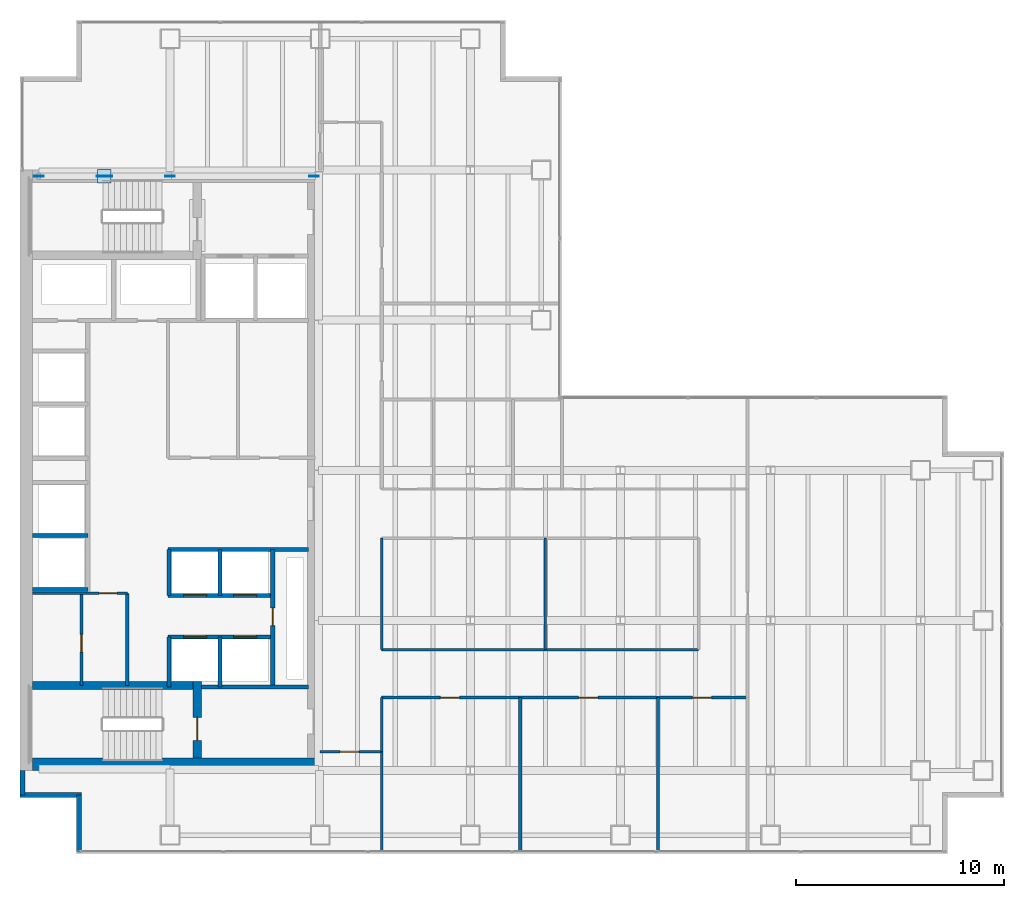
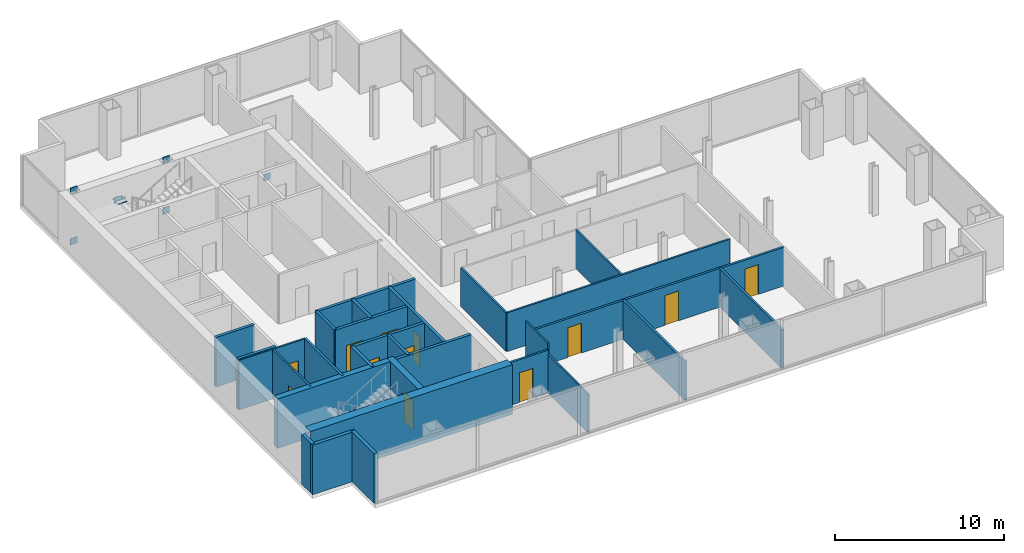
# One storey, part 20 of 23: 29 walls, 12 doors, 8 plates, 12 openings.
"""IFC4 building model written with IfcOpenShell, lengths in metres."""

import ifcopenshell
import ifcopenshell.guid

model = None  # the IFC model being written
_history = None  # IfcOwnerHistory: only IFC2X3 demands one
_inside = {}  # id of a spatial element -> (the spatial element, [elements in it])
_under = {}  # id of a project, library or spatial element -> (it, [spatial elements below it])
_declared = {}  # id of a project -> (the project, [libraries it declares])
_typed = {}  # id of a type object -> (the type object, [elements of that type])
_made_of = {}  # id of a material, layer set ... -> (it, [elements and type objects made of it])


def new_model(schema):
    """Start an empty IFC model of exactly this schema.

    Asked for "IFC4X3", IfcOpenShell would pick the latest addendum, in which some entities
    have other attributes; the version numbers below select the first issue.
    IFC2X3 requires an IfcOwnerHistory on every rooted entity: one is made here for all.
    """
    global model, _history
    if schema == "IFC4X3":
        model = ifcopenshell.file(schema_version=(4, 3, 0, 0))
    else:
        model = ifcopenshell.file(schema=schema)
    _inside.clear()
    _under.clear()
    _declared.clear()
    _typed.clear()
    _made_of.clear()
    _history = None
    if model.schema == "IFC2X3":
        org = make("IfcOrganization", Name="unknown")
        user = make(
            "IfcPersonAndOrganization",
            ThePerson=make("IfcPerson", FamilyName="unknown"),
            TheOrganization=org,
        )
        app = make(
            "IfcApplication",
            ApplicationDeveloper=org,
            Version="unknown",
            ApplicationFullName="unknown",
            ApplicationIdentifier="unknown",
        )
        _history = make(
            "IfcOwnerHistory",
            OwningUser=user,
            OwningApplication=app,
            ChangeAction="ADDED",
            CreationDate=0,
        )
    return model


def make(cls, **values):
    """One entity of the class cls with the attributes given. An attribute that is None is left unset."""
    return model.create_entity(
        cls, **{name: value for name, value in values.items() if value is not None}
    )


def rooted(cls, **values):
    """An entity with a GlobalId (a new one), such as an element, a storey or a relation."""
    return make(cls, GlobalId=ifcopenshell.guid.new(), OwnerHistory=_history, **values)


def si_unit(unit_type, name, prefix=None):
    """IfcSIUnit, for example si_unit("LENGTHUNIT", "METRE", prefix="MILLI")."""
    return make("IfcSIUnit", UnitType=unit_type, Prefix=prefix, Name=name)


def assignment(units):
    """IfcUnitAssignment: the units of a project."""
    return None if units is None else make("IfcUnitAssignment", Units=units)


def point(xyz):
    """IfcCartesianPoint."""
    return None if xyz is None else make("IfcCartesianPoint", Coordinates=xyz)


def direction(xyz):
    """IfcDirection."""
    return None if xyz is None else make("IfcDirection", DirectionRatios=xyz)


def frame(location, z_axis=None, x_axis=None):
    """IfcAxis2Placement3D, a coordinate frame: its origin and axes. An axis left out is left unset."""
    return make(
        "IfcAxis2Placement3D",
        Location=point(location),
        Axis=direction(z_axis),
        RefDirection=direction(x_axis),
    )


def frame_2d(location, x_axis=None):
    """IfcAxis2Placement2D, a coordinate frame in the plane: its origin and x axis."""
    return make(
        "IfcAxis2Placement2D", Location=point(location), RefDirection=direction(x_axis)
    )


def origin():
    """The frame at (0, 0, 0) with its axes left unset."""
    return frame((0.0, 0.0, 0.0))


def origin_2d():
    """The frame at (0, 0) in the plane with its x axis left unset."""
    return frame_2d((0.0, 0.0))


def place(relative_to, where):
    """IfcLocalPlacement: puts the frame where relative to a parent placement (None: the world)."""
    return make(
        "IfcLocalPlacement", PlacementRelTo=relative_to, RelativePlacement=where
    )


def context(
    kind, dimensions, precision=None, world=None, true_north=None, identifier=None
):
    """IfcGeometricRepresentationContext, for example the 3D "Model" context."""
    return make(
        "IfcGeometricRepresentationContext",
        ContextIdentifier=identifier,
        ContextType=kind,
        CoordinateSpaceDimension=dimensions,
        Precision=precision,
        WorldCoordinateSystem=world,
        TrueNorth=true_north,
    )


def subcontext(parent, identifier, kind, view, scale=None):
    """IfcGeometricRepresentationSubContext, for example "Body" below "Model"."""
    return make(
        "IfcGeometricRepresentationSubContext",
        ContextIdentifier=identifier,
        ContextType=kind,
        ParentContext=parent,
        TargetScale=scale,
        TargetView=view,
    )


def project(units=None, contexts=None):
    """IfcProject with its units and contexts."""
    return rooted(
        "IfcProject",
        Name="project",
        RepresentationContexts=contexts,
        UnitsInContext=assignment(units),
    )


def spatial(cls, under=None, at=None, **own):
    """A site, building, storey or space (cls), placed at a placement, below another one or the project."""
    s = rooted(cls, ObjectPlacement=at, **own)
    if under is not None:
        _under.setdefault(under.id(), (under, []))[1].append(s)
    return s


def profile(cls, at=None, kind="AREA", **sizes):
    """A parametric profile (cls). Its sizes go by their IFC names, for example OverallWidth=200.0."""
    return make(cls, ProfileType=kind, Position=at, **sizes)


def rectangle(**sizes):
    """IfcRectangleProfileDef."""
    return profile("IfcRectangleProfileDef", **sizes)


def extrude(swept, where, along, depth):
    """IfcExtrudedAreaSolid: the profile swept, set in the frame where, extruded along a direction by depth."""
    return make(
        "IfcExtrudedAreaSolid",
        SweptArea=swept,
        Position=where,
        ExtrudedDirection=direction(along),
        Depth=depth,
    )


def shape(context_of_items, identifier, shape_type, items):
    """IfcShapeRepresentation: the items that make up one representation, for example the "Body"."""
    return make(
        "IfcShapeRepresentation",
        ContextOfItems=context_of_items,
        RepresentationIdentifier=identifier,
        RepresentationType=shape_type,
        Items=items,
    )


def material(Name=None, Category=None):
    """IfcMaterial."""
    return make("IfcMaterial", Name=Name, Category=Category)


def layer(
    of_material, thickness, ventilated=None, Name=None, Category=None, Priority=None
):
    """IfcMaterialLayer: one layer of a wall or slab, of a material (None: an air gap)."""
    return make(
        "IfcMaterialLayer",
        Material=of_material,
        LayerThickness=thickness,
        IsVentilated=ventilated,
        Name=Name,
        Category=Category,
        Priority=Priority,
    )


def layer_set(layers, Name=None):
    """IfcMaterialLayerSet."""
    return make("IfcMaterialLayerSet", MaterialLayers=layers, LayerSetName=Name)


def made_of(thing, what):
    """Note that an element or type object is made of a material, layer set ...; save() writes the relation."""
    if what is not None:
        _made_of.setdefault(what.id(), (what, []))[1].append(thing)
    return thing


def type_object(cls, material=None, **own):
    """A type object (cls), such as IfcWallType, which elements share."""
    return made_of(rooted(cls, **own), material)


def element(
    cls,
    number,
    at=None,
    inside=None,
    cuts=None,
    type_object=None,
    material=None,
    context=None,
    identifier="Body",
    shape_type=None,
    held_by="IfcProductDefinitionShape",
    body=None,
    shapes=None,
    **own,
):
    """One element of the class cls, such as IfcWall. Its Tag is "e" and its number.

    at: its placement. inside: the storey or other place that contains it. cuts: it is an
    opening in that element (IfcRelVoidsElement). A single representation is given by context,
    identifier, shape_type and body (its items); several are given by shapes. held_by: the class
    of the entity that holds the representations. save() writes the other relations.
    """
    e = rooted(cls, Tag="e%d" % number, ObjectPlacement=at, **own)
    if body is not None:
        shapes = [shape(context, identifier, shape_type, body)]
    if shapes is not None:
        e.Representation = make(held_by, Representations=shapes)
    if inside is not None:
        _inside.setdefault(inside.id(), (inside, []))[1].append(e)
    if cuts is not None:
        rooted(
            "IfcRelVoidsElement", RelatingBuildingElement=cuts, RelatedOpeningElement=e
        )
    if type_object is not None:
        _typed.setdefault(type_object.id(), (type_object, []))[1].append(e)
    return made_of(e, material)


def fill(opening, filler):
    """IfcRelFillsElement: the door or window that sits in an opening."""
    return rooted(
        "IfcRelFillsElement",
        RelatingOpeningElement=opening,
        RelatedBuildingElement=filler,
    )


def aggregate(whole, parts):
    """IfcRelAggregates: a whole, such as a stair, and the parts it consists of."""
    return rooted("IfcRelAggregates", RelatingObject=whole, RelatedObjects=parts)


def save(model, path):
    """Write the relations noted so far, then the file.

    IfcRelAggregates (storeys below a building ...), IfcRelContainedInSpatialStructure (elements
    in a storey), IfcRelDefinesByType, IfcRelAssociatesMaterial and IfcRelDeclares: one each for
    every whole, place, type object, material and project.
    """
    for whole, parts in _under.values():
        aggregate(whole, parts)
    for where, things in _inside.values():
        rooted(
            "IfcRelContainedInSpatialStructure",
            RelatedElements=things,
            RelatingStructure=where,
        )
    for kind, things in _typed.values():
        rooted("IfcRelDefinesByType", RelatedObjects=things, RelatingType=kind)
    for what, things in _made_of.values():
        rooted("IfcRelAssociatesMaterial", RelatedObjects=things, RelatingMaterial=what)
    for by, libraries in _declared.values():
        rooted("IfcRelDeclares", RelatingContext=by, RelatedDefinitions=libraries)
    model.write(path)


model = new_model("IFC4")

# Units and contexts
model_context = context("Model", 3, precision=1e-05, world=origin(), true_north=direction((0.0, 1.0)))
body_context = subcontext(model_context, "Body", "Model", "MODEL_VIEW")
ifc_project = project(units=[si_unit("LENGTHUNIT", "METRE"), si_unit("AREAUNIT", "SQUARE_METRE"), si_unit("VOLUMEUNIT", "CUBIC_METRE"), si_unit("PLANEANGLEUNIT", "RADIAN"), si_unit("MASSUNIT", "GRAM", prefix="KILO")], contexts=[model_context])

# Site, building, storey
site_placement = place(None, origin())
site = spatial("IfcSite", under=ifc_project, at=site_placement, CompositionType="ELEMENT")
building_placement = place(site_placement, origin())
building = spatial("IfcBuilding", under=site, at=building_placement, Name="Cobrela Telecom Tower", CompositionType="ELEMENT")
storey_placement = place(building_placement, frame((0.0, 0.0, 109.89990234375)))
storey = spatial("IfcBuildingStorey", under=building, at=storey_placement, Name="L27", CompositionType="ELEMENT", Elevation=109.89990234375)

# Plates
ifc_material_1 = material(Name="Steel ASTM A572 Grade 50", Category="steel")
ifc_layer_1 = layer(ifc_material_1, 0.0419921875)
ifc_layer_set_1 = layer_set([ifc_layer_1], Name="Steel ASTM A572 Grade 50")
plate_type = type_object("IfcPlateType", Name="PLT-NODE-ND1", PredefinedType="USERDEFINED", material=ifc_layer_set_1)
for number, where, z_axis, x_axis, name in (
    (1, (0.89990234375, 35.699951171875, -0.269775390625), (0.0, 0.0, 1.0), (1.0, 0.0, 0.0), "Steel node plate PLT-MBR-EXO-L27-N1-A-0"),
    (2, (7.199951171875, 35.699951171875, 3.39013671875), (0.0, 0.0, 1.0), (1.0, 0.0, 0.0), "Steel node plate PLT-MBR-EXO-L27-N1-A-1"),
    (3, (7.199951171875, 35.699951171875, -0.269775390625), (0.0, 0.0, 1.0), (-1.0, 0.0, 0.0), "Steel node plate PLT-MBR-EXO-L27-N1-B1-0"),
    (4, (4.1953125, 35.699951171875, 1.475830078125), (0.0, 0.0, 1.0), (-1.0, 0.0, 0.0), "Steel node plate PLT-MBR-EXO-L27-N1-B1-1"),
    (5, (3.90478515625, 35.699951171875, 1.64453125), (0.0, 0.0, 1.0), (-1.0, 0.0, 0.0), "Steel node plate PLT-MBR-EXO-L27-N1-B2-0"),
    (6, (0.89990234375, 35.699951171875, 3.39013671875), (0.0, 0.0, 1.0), (-1.0, 0.0, 0.0), "Steel node plate PLT-MBR-EXO-L27-N1-B2-1"),
):
    element("IfcPlate", number, at=place(storey_placement, frame(where, z_axis=z_axis, x_axis=x_axis)), inside=storey, type_object=plate_type, Name=name, ObjectType="GUSSET PLATE", PredefinedType="USERDEFINED", context=body_context, shape_type="SweptSolid", body=[
        extrude(rectangle(XDim=0.4599609375, YDim=0.044921875, at=origin_2d()), origin(), (0.0, 0.0, 1.0), 0.4599609375),
    ])
plate_1_placement = place(storey_placement, frame((4.050048828125, 35.699951171875, 1.767578125), z_axis=(0.0, 0.0, 1.0), x_axis=(1.0, 0.0, 0.0)))
element("IfcPlate", 7, at=plate_1_placement, inside=storey, type_object=plate_type, Name="L27 Core Flange Steel X-Brace Central X-Crossing Gusset Plate", ObjectType="GUSSET PLATE", PredefinedType="USERDEFINED", context=body_context, shape_type="SweptSolid", body=[
    extrude(rectangle(XDim=0.64990234375, YDim=0.64990234375, at=origin_2d()), origin(), (0.0, 0.0, 1.0), 0.044921875),
])
plate_2_placement = place(storey_placement, frame((14.10009765625, 35.699951171875, -0.269775390625), z_axis=(0.0, 0.0, 1.0), x_axis=(-1.0, 0.0, 0.0)))
element("IfcPlate", 8, at=plate_2_placement, inside=storey, type_object=plate_type, Name="Steel node plate PLT-MBR-EXO-L27-N2-0", ObjectType="GUSSET PLATE", PredefinedType="USERDEFINED", context=body_context, shape_type="SweptSolid", body=[
    extrude(rectangle(XDim=0.4599609375, YDim=0.044921875, at=origin_2d()), origin(), (0.0, 0.0, 1.0), 0.4599609375),
])

# Walls
ifc_material_2 = material(Name="Concrete C50/60", Category="concrete")
ifc_layer_2 = layer(ifc_material_2, 0.60009765625)
ifc_layer_set_2 = layer_set([ifc_layer_2], Name="Concrete C50/60")
wall_type_1 = type_object("IfcWallType", Name="WALL-CORE-C50-600", PredefinedType="SHEAR", material=ifc_layer_set_2)
wall_1_placement = place(storey_placement, frame((0.60009765625, 7.5, 0.0), z_axis=(0.0, 0.0, 1.0), x_axis=(1.0, 0.0, 0.0)))
element("IfcWall", 9, at=wall_1_placement, inside=storey, type_object=wall_type_1, Name="L27 South Core Shear Wall", PredefinedType="SHEAR", context=body_context, shape_type="SweptSolid", body=[
    extrude(rectangle(XDim=13.7998046875, YDim=0.60009765625, at=frame_2d((6.89990234375, 0.0))), origin(), (0.0, 0.0, 1.0), 3.580078125),
])
ifc_material_3 = material(Name="Concrete C40/50", Category="concrete")
ifc_layer_3 = layer(ifc_material_3, 0.239990234375)
ifc_layer_set_3 = layer_set([ifc_layer_3], Name="Concrete C40/50")
wall_type_2 = type_object("IfcWallType", Name="WALL-EXT-300", PredefinedType="STANDARD", material=ifc_layer_set_3)
wall_2_placement = place(storey_placement, frame((2.830078125, 3.320068359375, 0.0), z_axis=(0.0, 0.0, 1.0), x_axis=(0.0, 1.0, 0.0)))
element("IfcWall", 10, at=wall_2_placement, inside=storey, type_object=wall_type_2, Name="L27 Insulated Facade Wall 01", PredefinedType="STANDARD", context=body_context, shape_type="SweptSolid", body=[
    extrude(rectangle(XDim=2.7099609375, YDim=0.239990234375, at=frame_2d((1.35498046875, 0.0))), origin(), (0.0, 0.0, 1.0), 3.580078125),
])
wall_3_placement = place(storey_placement, frame((2.949951171875, 6.030029296875, 0.0), z_axis=(0.0, 0.0, 1.0), x_axis=(-1.0, 0.0, 0.0)))
element("IfcWall", 11, at=wall_3_placement, inside=storey, type_object=wall_type_2, Name="L27 Insulated Facade Wall 02", PredefinedType="STANDARD", context=body_context, shape_type="SweptSolid", body=[
    extrude(rectangle(XDim=2.949951171875, YDim=0.239990234375, at=frame_2d((1.47509765625, 0.0))), origin(), (0.0, 0.0, 1.0), 3.580078125),
])
wall_4_placement = place(storey_placement, frame((0.1201171875, 6.030029296875, 0.0), z_axis=(0.0, 0.0, 1.0), x_axis=(0.0, 1.0, 0.0)))
element("IfcWall", 12, at=wall_4_placement, inside=storey, type_object=wall_type_2, Name="L27 Insulated Facade Wall 03", PredefinedType="STANDARD", context=body_context, shape_type="SweptSolid", body=[
    extrude(rectangle(XDim=1.169921875, YDim=0.239990234375, at=frame_2d((0.5849609375, 0.0))), origin(), (0.0, 0.0, 1.0), 3.580078125),
])

# Wall, opening, door
ifc_material_4 = material(Name="Fire-Rated Gypsum Plasterboard")
ifc_layer_4 = layer(ifc_material_4, 0.110107421875)
ifc_layer_set_4 = layer_set([ifc_layer_4], Name="Fire-Rated Gypsum Plasterboard")
wall_type_3 = type_object("IfcWallType", Name="WALL-PART-110", PredefinedType="PARTITIONING", material=ifc_layer_set_4)
wall_5_placement = place(storey_placement, frame((0.60009765625, 15.699951171875, 0.0), z_axis=(0.0, 0.0, 1.0), x_axis=(1.0, 0.0, 0.0)))
wall_5 = element("IfcWall", 13, at=wall_5_placement, inside=storey, type_object=wall_type_3, Name="L27 Interior Partition CW-FLEX-N", PredefinedType="PARTITIONING", context=body_context, shape_type="SweptSolid", body=[
    extrude(rectangle(XDim=4.5498046875, YDim=0.110107421875, at=frame_2d((2.27490234375, 0.0))), origin(), (0.0, 0.0, 1.0), 3.580078125),
])
opening_1_placement = place(wall_5_placement, frame((3.199951171875, 0.0, 0.0)))
opening_1 = element("IfcOpeningElement", 14, at=opening_1_placement, cuts=wall_5, Name="Opening DR-11", PredefinedType="OPENING", context=body_context, shape_type="SweptSolid", body=[
    extrude(rectangle(XDim=0.85009765625, YDim=2.14990234375, at=frame_2d((0.425048828125, 1.074951171875))), frame((0.0, 0.06689453125, 0.0), z_axis=(0.0, -1.0, 0.0), x_axis=(1.0, 0.0, 0.0)), (0.0, 0.0, 1.0), 0.134033203125),
])
ifc_material_5 = material(Name="Solid Engineered Oak Timber", Category="wood")
door_type_1 = type_object("IfcDoorType", Name="DOOR-INT-850", OperationType="SINGLE_SWING_LEFT", PredefinedType="DOOR", material=ifc_material_5)
door_1_placement = place(opening_1_placement, origin())
door_1 = element("IfcDoor", 15, at=door_1_placement, inside=storey, type_object=door_type_1, Name="L27 Door DR-11", OperationType="SINGLE_SWING_LEFT", OverallHeight=2.14990234375, OverallWidth=0.85009765625, PredefinedType="DOOR", context=body_context, shape_type="SweptSolid", body=[
    extrude(rectangle(XDim=0.85009765625, YDim=2.14990234375, at=frame_2d((0.425048828125, 1.074951171875))), frame((0.0, 0.02490234375, 0.0), z_axis=(0.0, -1.0, 0.0), x_axis=(1.0, 0.0, 0.0)), (0.0, 0.0, 1.0), 0.050048828125),
])
fill(opening_1, door_1)

# Walls
wall_6_placement = place(storey_placement, frame((17.35009765625, 8.10009765625, 0.0), z_axis=(0.0, 0.0, 1.0), x_axis=(0.0, 1.0, 0.0)))
element("IfcWall", 16, at=wall_6_placement, inside=storey, type_object=wall_type_3, Name="L27 Interior Partition W-UW-E1", PredefinedType="PARTITIONING", context=body_context, shape_type="SweptSolid", body=[
    extrude(rectangle(XDim=2.599853515625, YDim=0.110107421875, at=frame_2d((1.2998046875, 0.0))), origin(), (0.0, 0.0, 1.0), 3.580078125),
])
wall_7_placement = place(storey_placement, frame((17.35009765625, 3.320068359375, 0.0), z_axis=(0.0, 0.0, 1.0), x_axis=(0.0, 1.0, 0.0)))
element("IfcWall", 17, at=wall_7_placement, inside=storey, type_object=wall_type_3, Name="L27 Interior Partition W-USW-E", PredefinedType="PARTITIONING", context=body_context, shape_type="SweptSolid", body=[
    extrude(rectangle(XDim=4.780029296875, YDim=0.110107421875, at=frame_2d((2.39013671875, 0.0))), origin(), (0.0, 0.0, 1.0), 2.793212890625),
])

# Wall, opening, door
ifc_layer_5 = layer(ifc_material_4, 0.125)
ifc_layer_set_5 = layer_set([ifc_layer_5], Name="Fire-Rated Gypsum Plasterboard")
wall_type_4 = type_object("IfcWallType", Name="WALL-PART-125", PredefinedType="PARTITIONING", material=ifc_layer_set_5)
wall_8_placement = place(storey_placement, frame((2.949951171875, 11.280029296875, 0.0), z_axis=(0.0, 0.0, 1.0), x_axis=(0.0, 1.0, 0.0)))
wall_8 = element("IfcWall", 18, at=wall_8_placement, inside=storey, type_object=wall_type_4, Name="L27 Interior Partition CW-FK1-V", PredefinedType="PARTITIONING", context=body_context, shape_type="SweptSolid", body=[
    extrude(rectangle(XDim=4.419921875, YDim=0.125, at=frame_2d((2.2099609375, 0.0))), origin(), (0.0, 0.0, 1.0), 3.580078125),
])
opening_2_placement = place(wall_8_placement, frame((1.60009765625, 0.0, 0.0)))
opening_2 = element("IfcOpeningElement", 19, at=opening_2_placement, cuts=wall_8, Name="Opening DR-11", PredefinedType="OPENING", context=body_context, shape_type="SweptSolid", body=[
    extrude(rectangle(XDim=0.85009765625, YDim=2.14990234375, at=frame_2d((0.425048828125, 1.074951171875))), frame((0.0, 0.074462890625, 0.0), z_axis=(0.0, -1.0, 0.0), x_axis=(1.0, 0.0, 0.0)), (0.0, 0.0, 1.0), 0.14892578125),
])
door_2_placement = place(opening_2_placement, origin())
door_2 = element("IfcDoor", 20, at=door_2_placement, inside=storey, type_object=door_type_1, Name="L27 Door DR-11", OperationType="SINGLE_SWING_RIGHT", OverallHeight=2.14990234375, OverallWidth=0.85009765625, PredefinedType="DOOR", context=body_context, shape_type="SweptSolid", body=[
    extrude(rectangle(XDim=0.85009765625, YDim=2.14990234375, at=frame_2d((0.425048828125, 1.074951171875))), frame((0.0, 0.02490234375, 0.0), z_axis=(0.0, -1.0, 0.0), x_axis=(1.0, 0.0, 0.0)), (0.0, 0.0, 1.0), 0.050048828125),
])
fill(opening_2, door_2)

# Walls
wall_9_placement = place(storey_placement, frame((17.35009765625, 13.0, 0.0), z_axis=(0.0, 0.0, 1.0), x_axis=(0.0, 1.0, 0.0)))
element("IfcWall", 21, at=wall_9_placement, inside=storey, type_object=wall_type_4, Name="L27 Interior Partition W-ISL-W", PredefinedType="PARTITIONING", context=body_context, shape_type="SweptSolid", body=[
    extrude(rectangle(XDim=5.35009765625, YDim=0.125, at=frame_2d((2.675048828125, 0.0))), origin(), (0.0, 0.0, 1.0), 2.793212890625),
])
wall_10_placement = place(storey_placement, frame((17.35009765625, 13.0, 0.0), z_axis=(0.0, 0.0, 1.0), x_axis=(1.0, 0.0, 0.0)))
element("IfcWall", 22, at=wall_10_placement, inside=storey, type_object=wall_type_4, Name="L27 Interior Partition W-ISL-S", PredefinedType="PARTITIONING", context=body_context, shape_type="SweptSolid", body=[
    extrude(rectangle(XDim=15.199951171875, YDim=0.125, at=frame_2d((7.60009765625, 0.0))), origin(), (0.0, 0.0, 1.0), 2.793212890625),
])
wall_11_placement = place(storey_placement, frame((25.199951171875, 13.0, 0.0), z_axis=(0.0, 0.0, 1.0), x_axis=(0.0, 1.0, 0.0)))
element("IfcWall", 23, at=wall_11_placement, inside=storey, type_object=wall_type_4, Name="L27 Interior Partition W-ISLV-1", PredefinedType="PARTITIONING", context=body_context, shape_type="SweptSolid", body=[
    extrude(rectangle(XDim=5.35009765625, YDim=0.125, at=frame_2d((2.675048828125, 0.0))), origin(), (0.0, 0.0, 1.0), 2.793212890625),
])

# Wall, opening, door
ifc_layer_6 = layer(ifc_material_4, 0.135009765625)
ifc_layer_set_6 = layer_set([ifc_layer_6], Name="Fire-Rated Gypsum Plasterboard")
wall_type_5 = type_object("IfcWallType", Name="WALL-PART-135", PredefinedType="PARTITIONING", material=ifc_layer_set_6)
wall_12_placement = place(storey_placement, frame((14.39990234375, 8.10009765625, 0.0), z_axis=(0.0, 0.0, 1.0), x_axis=(1.0, 0.0, 0.0)))
wall_12 = element("IfcWall", 24, at=wall_12_placement, inside=storey, type_object=wall_type_5, Name="L27 Interior Partition W-UW-S0", PredefinedType="PARTITIONING", context=body_context, shape_type="SweptSolid", body=[
    extrude(rectangle(XDim=2.9501953125, YDim=0.135009765625, at=frame_2d((1.47509765625, 0.0))), origin(), (0.0, 0.0, 1.0), 3.09814453125),
])
opening_3_placement = place(wall_12_placement, frame((0.949951171875, 0.0, 0.0)))
opening_3 = element("IfcOpeningElement", 25, at=opening_3_placement, cuts=wall_12, Name="Opening DR-45", PredefinedType="OPENING", context=body_context, shape_type="SweptSolid", body=[
    extrude(rectangle(XDim=0.919921875, YDim=2.14990234375, at=frame_2d((0.4599609375, 1.074951171875))), frame((0.0, 0.07958984375, 0.0), z_axis=(0.0, -1.0, 0.0), x_axis=(1.0, 0.0, 0.0)), (0.0, 0.0, 1.0), 0.158935546875),
])
door_type_2 = type_object("IfcDoorType", Name="DOOR-INT-920", OperationType="SINGLE_SWING_LEFT", PredefinedType="DOOR", material=ifc_material_5)
door_3_placement = place(opening_3_placement, origin())
door_3 = element("IfcDoor", 26, at=door_3_placement, inside=storey, type_object=door_type_2, Name="L27 Door DR-45", OperationType="SINGLE_SWING_RIGHT", OverallHeight=2.14990234375, OverallWidth=0.919921875, PredefinedType="DOOR", context=body_context, shape_type="SweptSolid", body=[
    extrude(rectangle(XDim=0.919921875, YDim=2.14990234375, at=frame_2d((0.4599609375, 1.074951171875))), frame((0.0, 0.02490234375, 0.0), z_axis=(0.0, -1.0, 0.0), x_axis=(1.0, 0.0, 0.0)), (0.0, 0.0, 1.0), 0.050048828125),
])
fill(opening_3, door_3)

# Wall, openings, doors
ifc_layer_7 = layer(ifc_material_4, 0.14990234375)
ifc_layer_set_7 = layer_set([ifc_layer_7], Name="Fire-Rated Gypsum Plasterboard")
wall_type_6 = type_object("IfcWallType", Name="WALL-PART-150", PredefinedType="PARTITIONING", material=ifc_layer_set_7)
wall_13_placement = place(storey_placement, frame((17.35009765625, 10.699951171875, 0.0), z_axis=(0.0, 0.0, 1.0), x_axis=(1.0, 0.0, 0.0)))
wall_13 = element("IfcWall", 27, at=wall_13_placement, inside=storey, type_object=wall_type_6, Name="L27 Interior Partition W-US-S", PredefinedType="PARTITIONING", context=body_context, shape_type="SweptSolid", body=[
    extrude(rectangle(XDim=17.5498046875, YDim=0.14990234375, at=frame_2d((8.77490234375, 0.0))), origin(), (0.0, 0.0, 1.0), 2.793212890625),
])
opening_4_placement = place(wall_13_placement, frame((2.820068359375, 0.0, 0.0)))
opening_4 = element("IfcOpeningElement", 28, at=opening_4_placement, cuts=wall_13, Name="Opening DR-45", PredefinedType="OPENING", context=body_context, shape_type="SweptSolid", body=[
    extrude(rectangle(XDim=0.919921875, YDim=2.14990234375, at=frame_2d((0.4599609375, 1.074951171875))), frame((0.0, 0.0869140625, 0.0), z_axis=(0.0, -1.0, 0.0), x_axis=(1.0, 0.0, 0.0)), (0.0, 0.0, 1.0), 0.173828125),
])
opening_5_placement = place(wall_13_placement, frame((9.449951171875, 0.0, 0.0)))
opening_5 = element("IfcOpeningElement", 29, at=opening_5_placement, cuts=wall_13, Name="Opening DR-45", PredefinedType="OPENING", context=body_context, shape_type="SweptSolid", body=[
    extrude(rectangle(XDim=0.919921875, YDim=2.14990234375, at=frame_2d((0.4599609375, 1.074951171875))), frame((0.0, 0.0869140625, 0.0), z_axis=(0.0, -1.0, 0.0), x_axis=(1.0, 0.0, 0.0)), (0.0, 0.0, 1.0), 0.173828125),
])
opening_6_placement = place(wall_13_placement, frame((14.89990234375, 0.0, 0.0)))
opening_6 = element("IfcOpeningElement", 30, at=opening_6_placement, cuts=wall_13, Name="Opening DR-45", PredefinedType="OPENING", context=body_context, shape_type="SweptSolid", body=[
    extrude(rectangle(XDim=0.919921875, YDim=2.14990234375, at=frame_2d((0.4599609375, 1.074951171875))), frame((0.0, 0.0869140625, 0.0), z_axis=(0.0, -1.0, 0.0), x_axis=(1.0, 0.0, 0.0)), (0.0, 0.0, 1.0), 0.173828125),
])
door_4_placement = place(opening_4_placement, origin())
door_4 = element("IfcDoor", 31, at=door_4_placement, inside=storey, type_object=door_type_2, Name="L27 Door DR-45", OperationType="SINGLE_SWING_LEFT", OverallHeight=2.14990234375, OverallWidth=0.919921875, PredefinedType="DOOR", context=body_context, shape_type="SweptSolid", body=[
    extrude(rectangle(XDim=0.919921875, YDim=2.14990234375, at=frame_2d((0.4599609375, 1.074951171875))), frame((0.0, 0.02490234375, 0.0), z_axis=(0.0, -1.0, 0.0), x_axis=(1.0, 0.0, 0.0)), (0.0, 0.0, 1.0), 0.050048828125),
])
fill(opening_4, door_4)
door_5_placement = place(opening_5_placement, origin())
door_5 = element("IfcDoor", 32, at=door_5_placement, inside=storey, type_object=door_type_2, Name="L27 Door DR-45", OperationType="SINGLE_SWING_RIGHT", OverallHeight=2.14990234375, OverallWidth=0.919921875, PredefinedType="DOOR", context=body_context, shape_type="SweptSolid", body=[
    extrude(rectangle(XDim=0.919921875, YDim=2.14990234375, at=frame_2d((0.4599609375, 1.074951171875))), frame((0.0, 0.02490234375, 0.0), z_axis=(0.0, -1.0, 0.0), x_axis=(1.0, 0.0, 0.0)), (0.0, 0.0, 1.0), 0.050048828125),
])
fill(opening_5, door_5)
door_6_placement = place(opening_6_placement, origin())
door_6 = element("IfcDoor", 33, at=door_6_placement, inside=storey, type_object=door_type_2, Name="L27 Door DR-45", OperationType="SINGLE_SWING_LEFT", OverallHeight=2.14990234375, OverallWidth=0.919921875, PredefinedType="DOOR", context=body_context, shape_type="SweptSolid", body=[
    extrude(rectangle(XDim=0.919921875, YDim=2.14990234375, at=frame_2d((0.4599609375, 1.074951171875))), frame((0.0, 0.02490234375, 0.0), z_axis=(0.0, -1.0, 0.0), x_axis=(1.0, 0.0, 0.0)), (0.0, 0.0, 1.0), 0.050048828125),
])
fill(opening_6, door_6)

# Walls
wall_14_placement = place(storey_placement, frame((30.60009765625, 3.320068359375, 0.0), z_axis=(0.0, 0.0, 1.0), x_axis=(0.0, 1.0, 0.0)))
element("IfcWall", 34, at=wall_14_placement, inside=storey, type_object=wall_type_6, Name="L27 Interior Partition W-USV-2", PredefinedType="PARTITIONING", context=body_context, shape_type="SweptSolid", body=[
    extrude(rectangle(XDim=7.3798828125, YDim=0.14990234375, at=frame_2d((3.68994140625, 0.0))), origin(), (0.0, 0.0, 1.0), 2.793212890625),
])
ifc_layer_8 = layer(ifc_material_4, 0.159912109375)
ifc_layer_set_8 = layer_set([ifc_layer_8], Name="Fire-Rated Gypsum Plasterboard")
wall_type_7 = type_object("IfcWallType", Name="WALL-PART-160", PredefinedType="PARTITIONING", material=ifc_layer_set_8)
wall_15_placement = place(storey_placement, frame((5.14990234375, 11.280029296875, 0.0), z_axis=(0.0, 0.0, 1.0), x_axis=(0.0, 1.0, 0.0)))
element("IfcWall", 35, at=wall_15_placement, inside=storey, type_object=wall_type_7, Name="L27 Interior Partition CW-FLEX-E", PredefinedType="PARTITIONING", context=body_context, shape_type="SweptSolid", body=[
    extrude(rectangle(XDim=4.419921875, YDim=0.159912109375, at=frame_2d((2.2099609375, 0.0))), origin(), (0.0, 0.0, 1.0), 3.580078125),
])
wall_16_placement = place(storey_placement, frame((24.0, 3.320068359375, 0.0), z_axis=(0.0, 0.0, 1.0), x_axis=(0.0, 1.0, 0.0)))
element("IfcWall", 36, at=wall_16_placement, inside=storey, type_object=wall_type_7, Name="L27 Interior Partition W-USV-1", PredefinedType="PARTITIONING", context=body_context, shape_type="SweptSolid", body=[
    extrude(rectangle(XDim=7.3798828125, YDim=0.159912109375, at=frame_2d((3.68994140625, 0.0))), origin(), (0.0, 0.0, 1.0), 2.793212890625),
])
ifc_layer_9 = layer(ifc_material_4, 0.199951171875)
ifc_layer_set_9 = layer_set([ifc_layer_9], Name="Fire-Rated Gypsum Plasterboard")
wall_type_8 = type_object("IfcWallType", Name="WALL-SHAFT-200", PredefinedType="PARTITIONING", material=ifc_layer_set_9)
wall_17_placement = place(storey_placement, frame((8.699951171875, 11.199951171875, 0.0), z_axis=(0.0, 0.0, 1.0), x_axis=(1.0, 0.0, 0.0)))
element("IfcWall", 37, at=wall_17_placement, inside=storey, type_object=wall_type_8, Name="L27 Shaft Enclosure CW-ST2L-N", PredefinedType="PARTITIONING", context=body_context, shape_type="SweptSolid", body=[
    extrude(rectangle(XDim=5.150146484375, YDim=0.199951171875, at=frame_2d((2.5751953125, 0.0))), origin(), (0.0, 0.0, 1.0), 3.580078125),
])
for number, where, z_axis, x_axis, name in (
    (38, (0.60009765625, 15.8798828125, 0.0), (0.0, 0.0, 1.0), (1.0, 0.0, 0.0), "L27 Shaft Enclosure CW-PLH-D9"),
    (39, (0.60009765625, 18.47998046875, 0.0), (0.0, 0.0, 1.0), (1.0, 0.0, 0.0), "L27 Shaft Enclosure CW-PLH-D10"),
):
    element("IfcWall", number, at=place(storey_placement, frame(where, z_axis=z_axis, x_axis=x_axis)), inside=storey, type_object=wall_type_8, Name=name, PredefinedType="PARTITIONING", context=body_context, shape_type="SweptSolid", body=[
        extrude(rectangle(XDim=2.64990234375, YDim=0.199951171875, at=frame_2d((1.324951171875, 0.0))), origin(), (0.0, 0.0, 1.0), 3.580078125),
    ])
wall_18_placement = place(storey_placement, frame((7.10009765625, 17.800048828125, 0.0), z_axis=(0.0, 0.0, 1.0), x_axis=(1.0, 0.0, 0.0)))
element("IfcWall", 40, at=wall_18_placement, inside=storey, type_object=wall_type_8, Name="L27 Shaft Enclosure CW-PLM-T0", PredefinedType="PARTITIONING", context=body_context, shape_type="SweptSolid", body=[
    extrude(rectangle(XDim=6.75, YDim=0.199951171875, at=frame_2d((3.375, 0.0))), origin(), (0.0, 0.0, 1.0), 3.580078125),
])

# Wall, openings, doors
wall_19_placement = place(storey_placement, frame((7.10009765625, 15.60009765625, 0.0), z_axis=(0.0, 0.0, 1.0), x_axis=(1.0, 0.0, 0.0)))
wall_19 = element("IfcWall", 41, at=wall_19_placement, inside=storey, type_object=wall_type_8, Name="L27 Shaft Enclosure CW-PLM-N", PredefinedType="PARTITIONING", context=body_context, shape_type="SweptSolid", body=[
    extrude(rectangle(XDim=5.02001953125, YDim=0.199951171875, at=frame_2d((2.510009765625, 0.0))), origin(), (0.0, 0.0, 1.0), 3.580078125),
])
opening_7_placement = place(wall_19_placement, frame((0.75, 0.0, 0.0)))
opening_7 = element("IfcOpeningElement", 42, at=opening_7_placement, cuts=wall_19, Name="Opening LD-1", PredefinedType="OPENING", context=body_context, shape_type="SweptSolid", body=[
    extrude(rectangle(XDim=1.10009765625, YDim=2.199951171875, at=frame_2d((0.550048828125, 1.10009765625))), frame((0.0, 0.11181640625, 0.0), z_axis=(0.0, -1.0, 0.0), x_axis=(1.0, 0.0, 0.0)), (0.0, 0.0, 1.0), 0.223876953125),
])
opening_8_placement = place(wall_19_placement, frame((3.14990234375, 0.0, 0.0)))
opening_8 = element("IfcOpeningElement", 43, at=opening_8_placement, cuts=wall_19, Name="Opening LD-1", PredefinedType="OPENING", context=body_context, shape_type="SweptSolid", body=[
    extrude(rectangle(XDim=1.10009765625, YDim=2.199951171875, at=frame_2d((0.550048828125, 1.10009765625))), frame((0.0, 0.11181640625, 0.0), z_axis=(0.0, -1.0, 0.0), x_axis=(1.0, 0.0, 0.0)), (0.0, 0.0, 1.0), 0.223876953125),
])
ifc_material_6 = material(Name="Steel ASTM A36", Category="steel")
door_type_3 = type_object("IfcDoorType", Name="DOOR-LD-PL", OperationType="SINGLE_SWING_LEFT", PredefinedType="DOOR", material=ifc_material_6)
door_7_placement = place(opening_7_placement, origin())
door_7 = element("IfcDoor", 44, at=door_7_placement, inside=storey, type_object=door_type_3, Name="L27 Lift Landing Door LD-1", OperationType="DOUBLE_DOOR_SLIDING", OverallHeight=2.199951171875, OverallWidth=1.10009765625, PredefinedType="DOOR", context=body_context, shape_type="SweptSolid", body=[
    extrude(rectangle(XDim=1.10009765625, YDim=2.199951171875, at=frame_2d((0.550048828125, 1.10009765625))), frame((0.0, 0.02490234375, 0.0), z_axis=(0.0, -1.0, 0.0), x_axis=(1.0, 0.0, 0.0)), (0.0, 0.0, 1.0), 0.050048828125),
])
fill(opening_7, door_7)
door_8_placement = place(opening_8_placement, origin())
door_8 = element("IfcDoor", 45, at=door_8_placement, inside=storey, type_object=door_type_3, Name="L27 Lift Landing Door LD-1", OperationType="DOUBLE_DOOR_SLIDING", OverallHeight=2.199951171875, OverallWidth=1.10009765625, PredefinedType="DOOR", context=body_context, shape_type="SweptSolid", body=[
    extrude(rectangle(XDim=1.10009765625, YDim=2.199951171875, at=frame_2d((0.550048828125, 1.10009765625))), frame((0.0, 0.02490234375, 0.0), z_axis=(0.0, -1.0, 0.0), x_axis=(1.0, 0.0, 0.0)), (0.0, 0.0, 1.0), 0.050048828125),
])
fill(opening_8, door_8)

wall_20_placement = place(storey_placement, frame((7.10009765625, 13.60009765625, 0.0), z_axis=(0.0, 0.0, 1.0), x_axis=(1.0, 0.0, 0.0)))
wall_20 = element("IfcWall", 46, at=wall_20_placement, inside=storey, type_object=wall_type_8, Name="L27 Shaft Enclosure CW-PLM-S", PredefinedType="PARTITIONING", context=body_context, shape_type="SweptSolid", body=[
    extrude(rectangle(XDim=5.02001953125, YDim=0.199951171875, at=frame_2d((2.510009765625, 0.0))), origin(), (0.0, 0.0, 1.0), 3.580078125),
])
opening_9_placement = place(wall_20_placement, frame((0.75, 0.0, 0.0)))
opening_9 = element("IfcOpeningElement", 47, at=opening_9_placement, cuts=wall_20, Name="Opening LD-1", PredefinedType="OPENING", context=body_context, shape_type="SweptSolid", body=[
    extrude(rectangle(XDim=1.10009765625, YDim=2.199951171875, at=frame_2d((0.550048828125, 1.10009765625))), frame((0.0, 0.11181640625, 0.0), z_axis=(0.0, -1.0, 0.0), x_axis=(1.0, 0.0, 0.0)), (0.0, 0.0, 1.0), 0.223876953125),
])
opening_10_placement = place(wall_20_placement, frame((3.14990234375, 0.0, 0.0)))
opening_10 = element("IfcOpeningElement", 48, at=opening_10_placement, cuts=wall_20, Name="Opening LD-1", PredefinedType="OPENING", context=body_context, shape_type="SweptSolid", body=[
    extrude(rectangle(XDim=1.10009765625, YDim=2.199951171875, at=frame_2d((0.550048828125, 1.10009765625))), frame((0.0, 0.11181640625, 0.0), z_axis=(0.0, -1.0, 0.0), x_axis=(1.0, 0.0, 0.0)), (0.0, 0.0, 1.0), 0.223876953125),
])
door_9_placement = place(opening_9_placement, origin())
door_9 = element("IfcDoor", 49, at=door_9_placement, inside=storey, type_object=door_type_3, Name="L27 Lift Landing Door LD-1", OperationType="DOUBLE_DOOR_SLIDING", OverallHeight=2.199951171875, OverallWidth=1.10009765625, PredefinedType="DOOR", context=body_context, shape_type="SweptSolid", body=[
    extrude(rectangle(XDim=1.10009765625, YDim=2.199951171875, at=frame_2d((0.550048828125, 1.10009765625))), frame((0.0, 0.02490234375, 0.0), z_axis=(0.0, -1.0, 0.0), x_axis=(1.0, 0.0, 0.0)), (0.0, 0.0, 1.0), 0.050048828125),
])
fill(opening_9, door_9)
door_10_placement = place(opening_10_placement, origin())
door_10 = element("IfcDoor", 50, at=door_10_placement, inside=storey, type_object=door_type_3, Name="L27 Lift Landing Door LD-1", OperationType="DOUBLE_DOOR_SLIDING", OverallHeight=2.199951171875, OverallWidth=1.10009765625, PredefinedType="DOOR", context=body_context, shape_type="SweptSolid", body=[
    extrude(rectangle(XDim=1.10009765625, YDim=2.199951171875, at=frame_2d((0.550048828125, 1.10009765625))), frame((0.0, 0.02490234375, 0.0), z_axis=(0.0, -1.0, 0.0), x_axis=(1.0, 0.0, 0.0)), (0.0, 0.0, 1.0), 0.050048828125),
])
fill(opening_10, door_10)

# Walls
wall_21_placement = place(storey_placement, frame((7.14990234375, 15.60009765625, 0.0), z_axis=(0.0, 0.0, 1.0), x_axis=(0.0, 1.0, 0.0)))
element("IfcWall", 51, at=wall_21_placement, inside=storey, type_object=wall_type_8, Name="L27 Shaft Enclosure CW-PLM-V1", PredefinedType="PARTITIONING", context=body_context, shape_type="SweptSolid", body=[
    extrude(rectangle(XDim=2.199951171875, YDim=0.199951171875, at=frame_2d((1.10009765625, 0.0))), origin(), (0.0, 0.0, 1.0), 3.580078125),
])
wall_22_placement = place(storey_placement, frame((7.14990234375, 11.199951171875, 0.0), z_axis=(0.0, 0.0, 1.0), x_axis=(0.0, 1.0, 0.0)))
element("IfcWall", 52, at=wall_22_placement, inside=storey, type_object=wall_type_8, Name="L27 Shaft Enclosure CW-PLM-V1B", PredefinedType="PARTITIONING", context=body_context, shape_type="SweptSolid", body=[
    extrude(rectangle(XDim=2.400146484375, YDim=0.199951171875, at=frame_2d((1.2001953125, 0.0))), origin(), (0.0, 0.0, 1.0), 3.580078125),
])
wall_23_placement = place(storey_placement, frame((9.60009765625, 15.60009765625, 0.0), z_axis=(0.0, 0.0, 1.0), x_axis=(0.0, 1.0, 0.0)))
element("IfcWall", 53, at=wall_23_placement, inside=storey, type_object=wall_type_8, Name="L27 Shaft Enclosure CW-PLM-V2", PredefinedType="PARTITIONING", context=body_context, shape_type="SweptSolid", body=[
    extrude(rectangle(XDim=2.199951171875, YDim=0.199951171875, at=frame_2d((1.10009765625, 0.0))), origin(), (0.0, 0.0, 1.0), 3.580078125),
])
wall_24_placement = place(storey_placement, frame((9.60009765625, 11.199951171875, 0.0), z_axis=(0.0, 0.0, 1.0), x_axis=(0.0, 1.0, 0.0)))
element("IfcWall", 54, at=wall_24_placement, inside=storey, type_object=wall_type_8, Name="L27 Shaft Enclosure CW-PLM-V2B", PredefinedType="PARTITIONING", context=body_context, shape_type="SweptSolid", body=[
    extrude(rectangle(XDim=2.400146484375, YDim=0.199951171875, at=frame_2d((1.2001953125, 0.0))), origin(), (0.0, 0.0, 1.0), 3.580078125),
])

# Wall, opening, door
wall_25_placement = place(storey_placement, frame((12.1201171875, 11.199951171875, 0.0), z_axis=(0.0, 0.0, 1.0), x_axis=(0.0, 1.0, 0.0)))
wall_25 = element("IfcWall", 55, at=wall_25_placement, inside=storey, type_object=wall_type_8, Name="L27 Shaft Enclosure CW-PLM-V3", PredefinedType="PARTITIONING", context=body_context, shape_type="SweptSolid", body=[
    extrude(rectangle(XDim=6.60009765625, YDim=0.199951171875, at=frame_2d((3.300048828125, 0.0))), origin(), (0.0, 0.0, 1.0), 3.580078125),
])
opening_11_placement = place(wall_25_placement, frame((2.949951171875, 0.0, 0.0)))
opening_11 = element("IfcOpeningElement", 56, at=opening_11_placement, cuts=wall_25, Name="Opening DR-11", PredefinedType="OPENING", context=body_context, shape_type="SweptSolid", body=[
    extrude(rectangle(XDim=0.85009765625, YDim=2.14990234375, at=frame_2d((0.425048828125, 1.074951171875))), frame((0.0, 0.11181640625, 0.0), z_axis=(0.0, -1.0, 0.0), x_axis=(1.0, 0.0, 0.0)), (0.0, 0.0, 1.0), 0.223876953125),
])
door_11_placement = place(opening_11_placement, origin())
door_11 = element("IfcDoor", 57, at=door_11_placement, inside=storey, type_object=door_type_1, Name="L27 Door DR-11", OperationType="SINGLE_SWING_RIGHT", OverallHeight=2.14990234375, OverallWidth=0.85009765625, PredefinedType="DOOR", context=body_context, shape_type="SweptSolid", body=[
    extrude(rectangle(XDim=0.85009765625, YDim=2.14990234375, at=frame_2d((0.425048828125, 1.074951171875))), frame((0.0, 0.02490234375, 0.0), z_axis=(0.0, -1.0, 0.0), x_axis=(1.0, 0.0, 0.0)), (0.0, 0.0, 1.0), 0.050048828125),
])
fill(opening_11, door_11)

# Wall
ifc_layer_10 = layer(ifc_material_3, 0.39990234375)
ifc_layer_set_10 = layer_set([ifc_layer_10], Name="Concrete C40/50")
wall_type_9 = type_object("IfcWallType", Name="WALL-SHAFT-C40-400", PredefinedType="SHEAR", material=ifc_layer_set_10)
wall_26_placement = place(storey_placement, frame((0.60009765625, 11.280029296875, 0.0), z_axis=(0.0, 0.0, 1.0), x_axis=(1.0, 0.0, 0.0)))
element("IfcWall", 58, at=wall_26_placement, inside=storey, type_object=wall_type_9, Name="L27 South Stair Shear Wall", PredefinedType="SHEAR", context=body_context, shape_type="SweptSolid", body=[
    extrude(rectangle(XDim=7.699951171875, YDim=0.39990234375, at=frame_2d((3.85009765625, 0.0))), origin(), (0.0, 0.0, 1.0), 3.580078125),
])

# Wall, opening, door
wall_27_placement = place(storey_placement, frame((8.5, 7.800048828125, 0.0), z_axis=(0.0, 0.0, 1.0), x_axis=(0.0, 1.0, 0.0)))
wall_27 = element("IfcWall", 59, at=wall_27_placement, inside=storey, type_object=wall_type_9, Name="L27 South Stair Lobby Shear Wall", PredefinedType="SHEAR", context=body_context, shape_type="SweptSolid", body=[
    extrude(rectangle(XDim=3.679931640625, YDim=0.39990234375, at=frame_2d((1.83984375, 0.0))), origin(), (0.0, 0.0, 1.0), 3.580078125),
])
opening_12_placement = place(wall_27_placement, frame((0.85009765625, 0.0, 0.0)))
opening_12 = element("IfcOpeningElement", 60, at=opening_12_placement, cuts=wall_27, Name="Opening FD-90", PredefinedType="OPENING", context=body_context, shape_type="SweptSolid", body=[
    extrude(rectangle(XDim=1.10009765625, YDim=2.14990234375, at=frame_2d((0.550048828125, 1.074951171875))), frame((0.0, 0.2119140625, 0.0), z_axis=(0.0, -1.0, 0.0), x_axis=(1.0, 0.0, 0.0)), (0.0, 0.0, 1.0), 0.423828125),
])
door_type_4 = type_object("IfcDoorType", Name="DOOR-FD90-1100", OperationType="SINGLE_SWING_LEFT", PredefinedType="DOOR", material=ifc_material_6)
door_12_placement = place(opening_12_placement, origin())
door_12 = element("IfcDoor", 61, at=door_12_placement, inside=storey, type_object=door_type_4, Name="L27 Door FD-90", OperationType="SINGLE_SWING_LEFT", OverallHeight=2.14990234375, OverallWidth=1.10009765625, PredefinedType="DOOR", context=body_context, shape_type="SweptSolid", body=[
    extrude(rectangle(XDim=1.10009765625, YDim=2.14990234375, at=frame_2d((0.550048828125, 1.074951171875))), frame((0.0, 0.02490234375, 0.0), z_axis=(0.0, -1.0, 0.0), x_axis=(1.0, 0.0, 0.0)), (0.0, 0.0, 1.0), 0.050048828125),
])
fill(opening_12, door_12)

save(model, "model.ifc")
